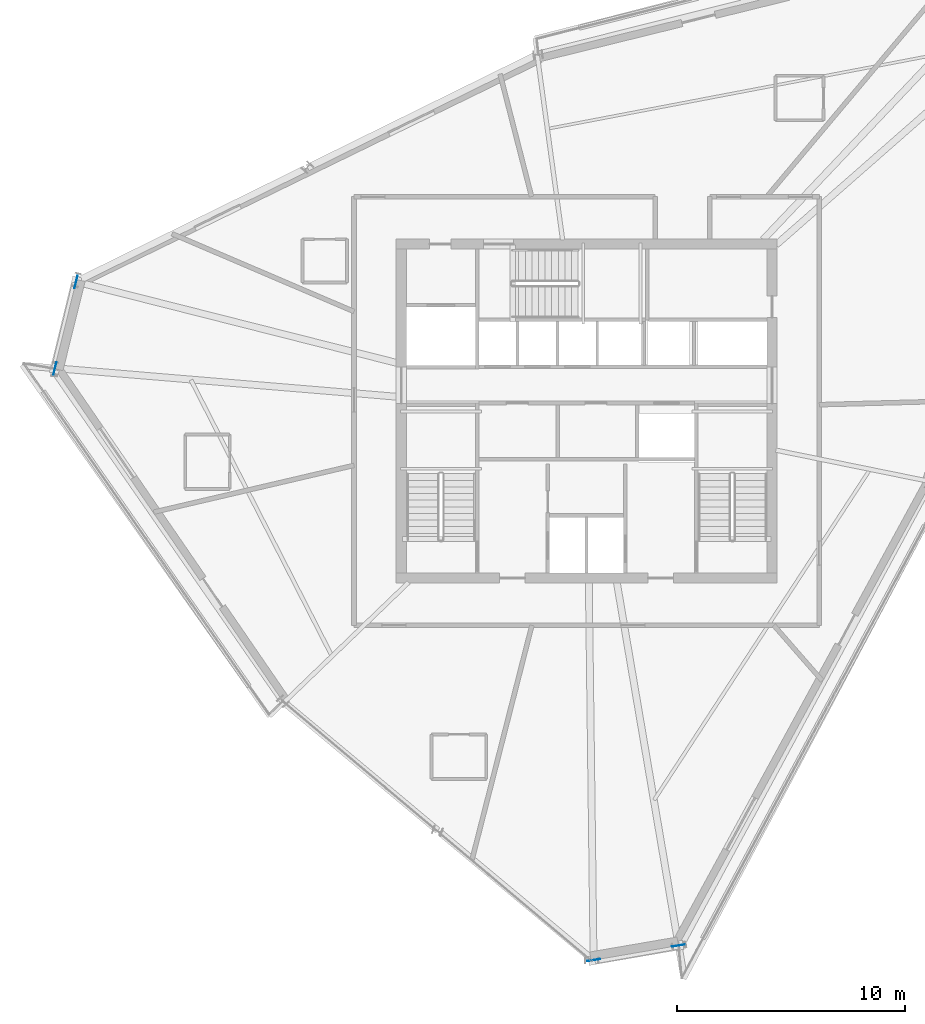
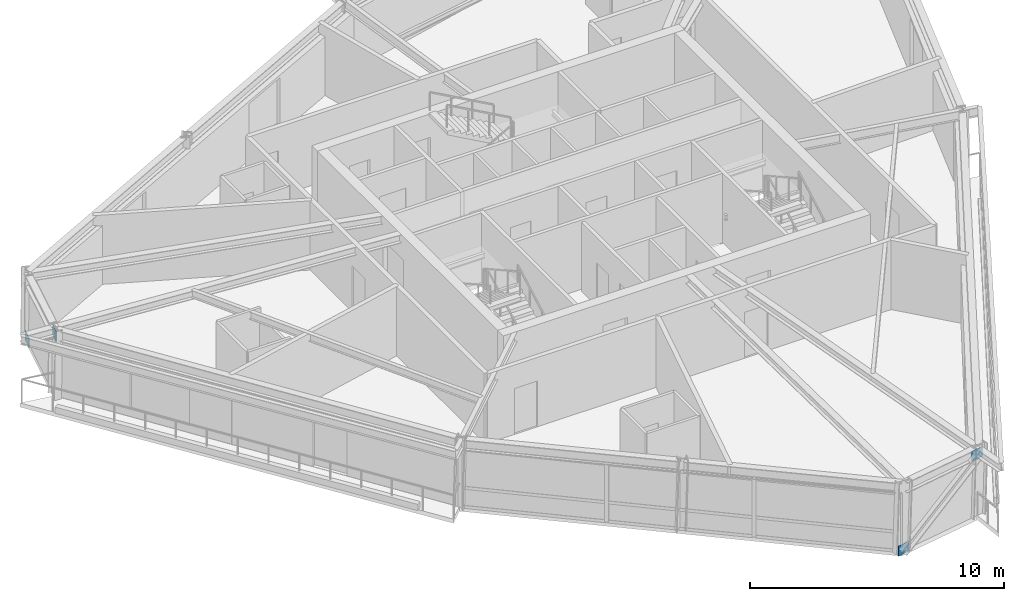
# One storey, part 6 of 14: 4 plates.
"""IFC4 building model written with IfcOpenShell, lengths in metres."""

from ifc_helpers import new_model, si_unit, direction, frame, origin, origin_2d, place, context, subcontext, project, spatial, rectangle, extrude, source, transform, mapped, material, type_object, element, save


model = new_model("IFC4")

# Units and contexts
model_context = context("Model", 3, precision=1e-05, world=origin(), true_north=direction((0.0, 1.0)))
body_context = subcontext(model_context, "Body", "Model", "MODEL_VIEW")
ifc_project = project(units=[si_unit("LENGTHUNIT", "METRE"), si_unit("AREAUNIT", "SQUARE_METRE"), si_unit("VOLUMEUNIT", "CUBIC_METRE"), si_unit("PLANEANGLEUNIT", "RADIAN"), si_unit("MASSUNIT", "GRAM", prefix="KILO")], contexts=[model_context])

# Site, building, storey
site_placement = place(None, origin())
site = spatial("IfcSite", under=ifc_project, at=site_placement, CompositionType="ELEMENT")
building_placement = place(site_placement, origin())
building = spatial("IfcBuilding", under=site, at=building_placement, Name="Olszyna Solenne Hotel", CompositionType="ELEMENT")
storey_placement = place(building_placement, frame((0.0, 0.0, 216.699951171875)))
storey = spatial("IfcBuildingStorey", under=building, at=storey_placement, Name="L57", CompositionType="ELEMENT", Elevation=216.699951171875)

# Plates
ifc_material = material(Name="Steel S355J2", Category="steel")
plate_type = type_object("IfcPlateType", Name="GP-ND2", PredefinedType="USERDEFINED", material=ifc_material)
shared_shape = source(origin(), body_context, "Body", "SweptSolid", [
    extrude(rectangle(XDim=0.56005859375, YDim=0.02001953125, at=origin_2d()), origin(), (0.0, 0.0, 1.0), 0.47998046875),
])
for number, where, z_axis, x_axis, name in (
    (1, (15.610595703125, 32.258056640625, -0.146728515625), (0.0, 0.0, 1.0), (-0.237007709767, -0.971507769146, 0.0), "Brace end connection gusset plate GP-ND2 EP-BR-L57-2-1"),
    (2, (14.684814453125, 28.464111328125, 2.73193359375), (0.0, 0.0, 1.0), (-0.237007709767, -0.971507769146, 0.0), "Brace end connection gusset plate GP-ND2 EP-BR-L57-2-2"),
    (3, (38.309326171875, 2.522216796875, -0.14501953125), (0.0, 0.0, 1.0), (0.985556059058, 0.169349503849, 0.0), "Brace end connection gusset plate GP-ND2 EP-BR-L57-3-1"),
    (4, (42.018310546875, 3.15966796875, 2.72998046875), (0.0, 0.0, 1.0), (0.985556059058, 0.169349503849, 0.0), "Brace end connection gusset plate GP-ND2 EP-BR-L57-3-2"),
):
    element("IfcPlate", number, at=place(storey_placement, frame(where, z_axis=z_axis, x_axis=x_axis)), inside=storey, type_object=plate_type, Name=name, ObjectType="GUSSET_PLATE", PredefinedType="USERDEFINED", context=body_context, shape_type="MappedRepresentation", body=[
        mapped(shared_shape, transform((0.0, 0.0, 0.0), x_axis=(1.0, 0.0, 0.0), y_axis=(0.0, 1.0, 0.0), z_axis=(0.0, 0.0, 1.0), scale=1.0)),
    ])

save(model, "model.ifc")
